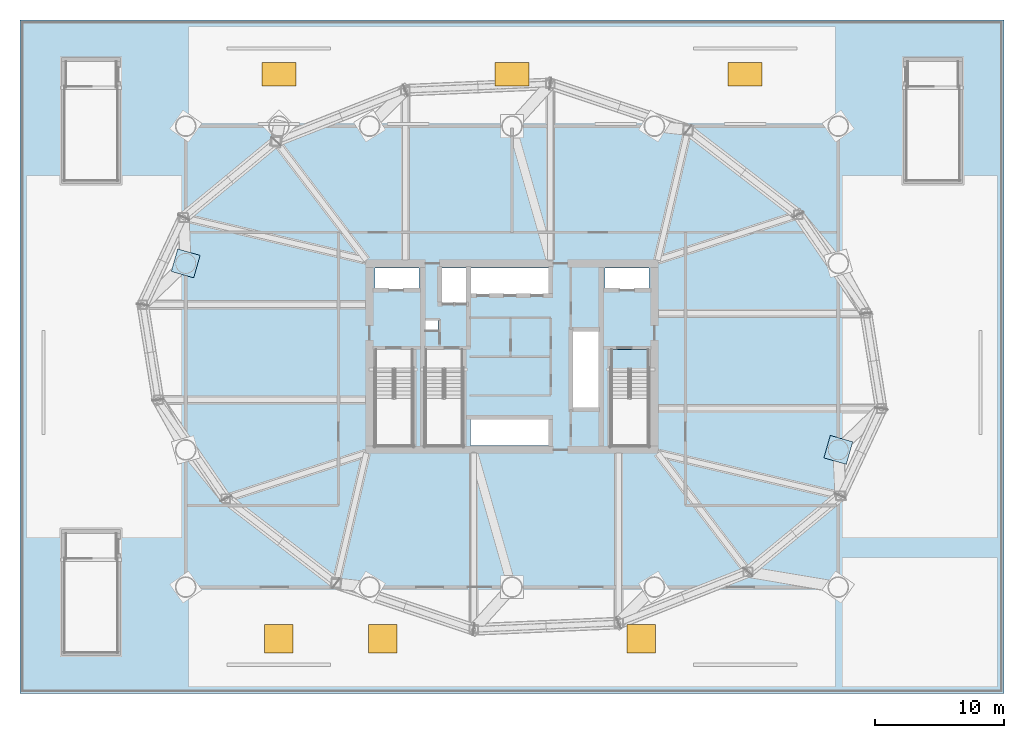
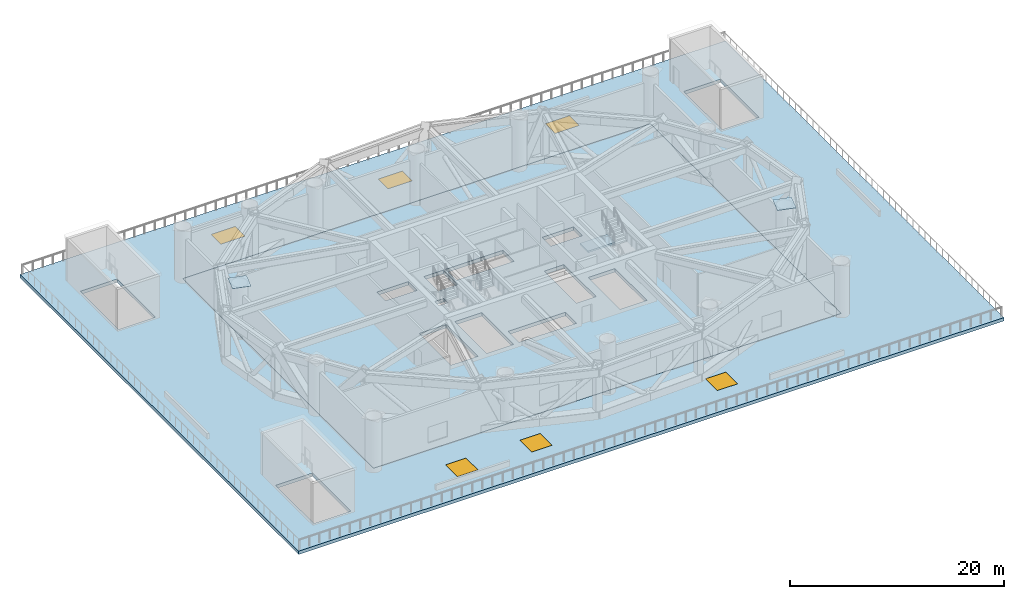
# One storey, part 5 of 14: 6 windows, 3 slabs, 2 plates, 6 openings, 1 element without a shape of its own.
"""IFC4 building model written with IfcOpenShell, lengths in metres."""

import ifcopenshell
import ifcopenshell.guid

model = None  # the IFC model being written
_history = None  # IfcOwnerHistory: only IFC2X3 demands one
_inside = {}  # id of a spatial element -> (the spatial element, [elements in it])
_under = {}  # id of a project, library or spatial element -> (it, [spatial elements below it])
_declared = {}  # id of a project -> (the project, [libraries it declares])
_typed = {}  # id of a type object -> (the type object, [elements of that type])
_made_of = {}  # id of a material, layer set ... -> (it, [elements and type objects made of it])


def new_model(schema):
    """Start an empty IFC model of exactly this schema.

    Asked for "IFC4X3", IfcOpenShell would pick the latest addendum, in which some entities
    have other attributes; the version numbers below select the first issue.
    IFC2X3 requires an IfcOwnerHistory on every rooted entity: one is made here for all.
    """
    global model, _history
    if schema == "IFC4X3":
        model = ifcopenshell.file(schema_version=(4, 3, 0, 0))
    else:
        model = ifcopenshell.file(schema=schema)
    _inside.clear()
    _under.clear()
    _declared.clear()
    _typed.clear()
    _made_of.clear()
    _history = None
    if model.schema == "IFC2X3":
        org = make("IfcOrganization", Name="unknown")
        user = make(
            "IfcPersonAndOrganization",
            ThePerson=make("IfcPerson", FamilyName="unknown"),
            TheOrganization=org,
        )
        app = make(
            "IfcApplication",
            ApplicationDeveloper=org,
            Version="unknown",
            ApplicationFullName="unknown",
            ApplicationIdentifier="unknown",
        )
        _history = make(
            "IfcOwnerHistory",
            OwningUser=user,
            OwningApplication=app,
            ChangeAction="ADDED",
            CreationDate=0,
        )
    return model


def make(cls, **values):
    """One entity of the class cls with the attributes given. An attribute that is None is left unset."""
    return model.create_entity(
        cls, **{name: value for name, value in values.items() if value is not None}
    )


def rooted(cls, **values):
    """An entity with a GlobalId (a new one), such as an element, a storey or a relation."""
    return make(cls, GlobalId=ifcopenshell.guid.new(), OwnerHistory=_history, **values)


def si_unit(unit_type, name, prefix=None):
    """IfcSIUnit, for example si_unit("LENGTHUNIT", "METRE", prefix="MILLI")."""
    return make("IfcSIUnit", UnitType=unit_type, Prefix=prefix, Name=name)


def assignment(units):
    """IfcUnitAssignment: the units of a project."""
    return None if units is None else make("IfcUnitAssignment", Units=units)


def point(xyz):
    """IfcCartesianPoint."""
    return None if xyz is None else make("IfcCartesianPoint", Coordinates=xyz)


def direction(xyz):
    """IfcDirection."""
    return None if xyz is None else make("IfcDirection", DirectionRatios=xyz)


def frame(location, z_axis=None, x_axis=None):
    """IfcAxis2Placement3D, a coordinate frame: its origin and axes. An axis left out is left unset."""
    return make(
        "IfcAxis2Placement3D",
        Location=point(location),
        Axis=direction(z_axis),
        RefDirection=direction(x_axis),
    )


def frame_2d(location, x_axis=None):
    """IfcAxis2Placement2D, a coordinate frame in the plane: its origin and x axis."""
    return make(
        "IfcAxis2Placement2D", Location=point(location), RefDirection=direction(x_axis)
    )


def origin():
    """The frame at (0, 0, 0) with its axes left unset."""
    return frame((0.0, 0.0, 0.0))


def origin_2d():
    """The frame at (0, 0) in the plane with its x axis left unset."""
    return frame_2d((0.0, 0.0))


def place(relative_to, where):
    """IfcLocalPlacement: puts the frame where relative to a parent placement (None: the world)."""
    return make(
        "IfcLocalPlacement", PlacementRelTo=relative_to, RelativePlacement=where
    )


def context(
    kind, dimensions, precision=None, world=None, true_north=None, identifier=None
):
    """IfcGeometricRepresentationContext, for example the 3D "Model" context."""
    return make(
        "IfcGeometricRepresentationContext",
        ContextIdentifier=identifier,
        ContextType=kind,
        CoordinateSpaceDimension=dimensions,
        Precision=precision,
        WorldCoordinateSystem=world,
        TrueNorth=true_north,
    )


def subcontext(parent, identifier, kind, view, scale=None):
    """IfcGeometricRepresentationSubContext, for example "Body" below "Model"."""
    return make(
        "IfcGeometricRepresentationSubContext",
        ContextIdentifier=identifier,
        ContextType=kind,
        ParentContext=parent,
        TargetScale=scale,
        TargetView=view,
    )


def project(units=None, contexts=None):
    """IfcProject with its units and contexts."""
    return rooted(
        "IfcProject",
        Name="project",
        RepresentationContexts=contexts,
        UnitsInContext=assignment(units),
    )


def spatial(cls, under=None, at=None, **own):
    """A site, building, storey or space (cls), placed at a placement, below another one or the project."""
    s = rooted(cls, ObjectPlacement=at, **own)
    if under is not None:
        _under.setdefault(under.id(), (under, []))[1].append(s)
    return s


def polyline(points):
    """IfcPolyline through the points."""
    return make("IfcPolyline", Points=[point(p) for p in points])


def profile(cls, at=None, kind="AREA", **sizes):
    """A parametric profile (cls). Its sizes go by their IFC names, for example OverallWidth=200.0."""
    return make(cls, ProfileType=kind, Position=at, **sizes)


def rectangle(**sizes):
    """IfcRectangleProfileDef."""
    return profile("IfcRectangleProfileDef", **sizes)


def outline(outer, holes=None, kind="AREA"):
    """IfcArbitraryClosedProfileDef: a profile drawn as a closed curve; with holes, ...WithVoids."""
    if holes is None:
        return make("IfcArbitraryClosedProfileDef", ProfileType=kind, OuterCurve=outer)
    return make(
        "IfcArbitraryProfileDefWithVoids",
        ProfileType=kind,
        OuterCurve=outer,
        InnerCurves=holes,
    )


def extrude(swept, where, along, depth):
    """IfcExtrudedAreaSolid: the profile swept, set in the frame where, extruded along a direction by depth."""
    return make(
        "IfcExtrudedAreaSolid",
        SweptArea=swept,
        Position=where,
        ExtrudedDirection=direction(along),
        Depth=depth,
    )


def shape(context_of_items, identifier, shape_type, items):
    """IfcShapeRepresentation: the items that make up one representation, for example the "Body"."""
    return make(
        "IfcShapeRepresentation",
        ContextOfItems=context_of_items,
        RepresentationIdentifier=identifier,
        RepresentationType=shape_type,
        Items=items,
    )


def material(Name=None, Category=None):
    """IfcMaterial."""
    return make("IfcMaterial", Name=Name, Category=Category)


def layer(
    of_material, thickness, ventilated=None, Name=None, Category=None, Priority=None
):
    """IfcMaterialLayer: one layer of a wall or slab, of a material (None: an air gap)."""
    return make(
        "IfcMaterialLayer",
        Material=of_material,
        LayerThickness=thickness,
        IsVentilated=ventilated,
        Name=Name,
        Category=Category,
        Priority=Priority,
    )


def layer_set(layers, Name=None):
    """IfcMaterialLayerSet."""
    return make("IfcMaterialLayerSet", MaterialLayers=layers, LayerSetName=Name)


def made_of(thing, what):
    """Note that an element or type object is made of a material, layer set ...; save() writes the relation."""
    if what is not None:
        _made_of.setdefault(what.id(), (what, []))[1].append(thing)
    return thing


def type_object(cls, material=None, **own):
    """A type object (cls), such as IfcWallType, which elements share."""
    return made_of(rooted(cls, **own), material)


def element(
    cls,
    number,
    at=None,
    inside=None,
    cuts=None,
    type_object=None,
    material=None,
    context=None,
    identifier="Body",
    shape_type=None,
    held_by="IfcProductDefinitionShape",
    body=None,
    shapes=None,
    **own,
):
    """One element of the class cls, such as IfcWall. Its Tag is "e" and its number.

    at: its placement. inside: the storey or other place that contains it. cuts: it is an
    opening in that element (IfcRelVoidsElement). A single representation is given by context,
    identifier, shape_type and body (its items); several are given by shapes. held_by: the class
    of the entity that holds the representations. save() writes the other relations.
    """
    e = rooted(cls, Tag="e%d" % number, ObjectPlacement=at, **own)
    if body is not None:
        shapes = [shape(context, identifier, shape_type, body)]
    if shapes is not None:
        e.Representation = make(held_by, Representations=shapes)
    if inside is not None:
        _inside.setdefault(inside.id(), (inside, []))[1].append(e)
    if cuts is not None:
        rooted(
            "IfcRelVoidsElement", RelatingBuildingElement=cuts, RelatedOpeningElement=e
        )
    if type_object is not None:
        _typed.setdefault(type_object.id(), (type_object, []))[1].append(e)
    return made_of(e, material)


def fill(opening, filler):
    """IfcRelFillsElement: the door or window that sits in an opening."""
    return rooted(
        "IfcRelFillsElement",
        RelatingOpeningElement=opening,
        RelatedBuildingElement=filler,
    )


def aggregate(whole, parts):
    """IfcRelAggregates: a whole, such as a stair, and the parts it consists of."""
    return rooted("IfcRelAggregates", RelatingObject=whole, RelatedObjects=parts)


def save(model, path):
    """Write the relations noted so far, then the file.

    IfcRelAggregates (storeys below a building ...), IfcRelContainedInSpatialStructure (elements
    in a storey), IfcRelDefinesByType, IfcRelAssociatesMaterial and IfcRelDeclares: one each for
    every whole, place, type object, material and project.
    """
    for whole, parts in _under.values():
        aggregate(whole, parts)
    for where, things in _inside.values():
        rooted(
            "IfcRelContainedInSpatialStructure",
            RelatedElements=things,
            RelatingStructure=where,
        )
    for kind, things in _typed.values():
        rooted("IfcRelDefinesByType", RelatedObjects=things, RelatingType=kind)
    for what, things in _made_of.values():
        rooted("IfcRelAssociatesMaterial", RelatedObjects=things, RelatingMaterial=what)
    for by, libraries in _declared.values():
        rooted("IfcRelDeclares", RelatingContext=by, RelatedDefinitions=libraries)
    model.write(path)


model = new_model("IFC4")

# Units and contexts
model_context = context("Model", 3, precision=1e-05, world=origin(), true_north=direction((0.0, 1.0)))
body_context = subcontext(model_context, "Body", "Model", "MODEL_VIEW")
ifc_project = project(units=[si_unit("LENGTHUNIT", "METRE"), si_unit("AREAUNIT", "SQUARE_METRE"), si_unit("VOLUMEUNIT", "CUBIC_METRE"), si_unit("PLANEANGLEUNIT", "RADIAN"), si_unit("MASSUNIT", "GRAM", prefix="KILO")], contexts=[model_context])

# Site, building, storey
site_placement = place(None, origin())
site = spatial("IfcSite", under=ifc_project, at=site_placement, CompositionType="ELEMENT")
building_placement = place(site_placement, origin())
building = spatial("IfcBuilding", under=site, at=building_placement, Name="Bramvorn Convention Spire", CompositionType="ELEMENT")
storey_placement = place(building_placement, frame((0.0, 0.0, 35.39990234375)))
storey = spatial("IfcBuildingStorey", under=building, at=storey_placement, Name="L06", CompositionType="ELEMENT", Elevation=35.39990234375)

# Plates
ifc_material_1 = material(Name="Steel CSA G40.21 Grade 350 (350W)", Category="steel")
ifc_layer_1 = layer(ifc_material_1, 0.044921875)
ifc_layer_set_1 = layer_set([ifc_layer_1], Name="Steel CSA G40.21 Grade 350 (350W) - PLT-NODE-CAP-45")
plate_type = type_object("IfcPlateType", Name="PLT-NODE-CAP-45", PredefinedType="SHEET", material=ifc_layer_set_1)
for number, where, z_axis, x_axis, name in (
    (1, (63.199951171875, 18.800048828125, 6.000244140625), (0.0, 0.0, 1.0), (0.96152394764, -0.274721127899, 0.0), "L06 CFT mega-column PR06 welded end-cap plate"),
    (2, (12.800048828125, 33.199951171875, 6.000244140625), (0.0, 0.0, 1.0), (-0.96152394764, 0.274721127899, 0.0), "L06 CFT mega-column PR07 welded end-cap plate"),
):
    element("IfcPlate", number, at=place(storey_placement, frame(where, z_axis=z_axis, x_axis=x_axis)), inside=storey, type_object=plate_type, Name=name, PredefinedType="SHEET", context=body_context, shape_type="SweptSolid", body=[
        extrude(rectangle(XDim=1.800048828125, YDim=1.800048828125, at=origin_2d()), origin(), (0.0, 0.0, 1.0), 0.044921875),
    ])

# Slab, openings, windows
ifc_material_2 = material(Name="Concrete C40/50 Planted Garden Deck", Category="concrete")
ifc_layer_2 = layer(ifc_material_2, 0.3798828125)
ifc_layer_set_2 = layer_set([ifc_layer_2], Name="Concrete C40/50 Planted Garden Deck - SLB-GARDEN-380")
slab_type_1 = type_object("IfcSlabType", Name="SLB-GARDEN-380", PredefinedType="FLOOR", material=ifc_layer_set_2)
slab_1_placement = place(storey_placement, frame((0.0, 0.0, -0.3798828125)))
slab_1 = element("IfcSlab", 3, at=slab_1_placement, inside=storey, type_object=slab_type_1, Name="L06 Raised Public Roof Garden Deck", PredefinedType="FLOOR", context=body_context, shape_type="SweptSolid", body=[
    extrude(outline(polyline([(0.0, 0.0), (76.0, 0.0), (76.0, 52.0), (0.0, 52.0), (0.0, 0.0)]), holes=[polyline([(12.800048828125, 8.199951171875), (63.199951171875, 8.199951171875), (63.199951171875, 43.800048828125), (12.800048828125, 43.800048828125), (12.800048828125, 8.199951171875)]), polyline([(3.5, 10.35009765625), (3.5, 3.199951171875), (7.47998046875, 3.199951171875), (7.47998046875, 10.35009765625), (3.5, 10.35009765625)]), polyline([(68.52001953125, 46.800048828125), (68.52001953125, 39.64990234375), (72.5, 39.64990234375), (72.5, 46.800048828125), (68.52001953125, 46.800048828125)]), polyline([(3.5, 46.800048828125), (3.5, 39.64990234375), (7.47998046875, 39.64990234375), (7.47998046875, 46.800048828125), (3.5, 46.800048828125)])]), origin(), (0.0, 0.0, 1.0), 0.3798828125),
])
opening_1_placement = place(slab_1_placement, frame((20.0, 4.199951171875, 0.0)))
opening_1 = element("IfcOpeningElement", 4, at=opening_1_placement, cuts=slab_1, Name="Opening SK01", PredefinedType="OPENING", context=body_context, shape_type="SweptSolid", body=[
    extrude(rectangle(XDim=2.199951171875, YDim=2.199951171875, at=origin_2d()), frame((0.0, 0.0, -0.010009765625)), (0.0, 0.0, 1.0), 0.39990234375),
])
opening_2_placement = place(slab_1_placement, frame((28.0, 4.199951171875, 0.0)))
opening_2 = element("IfcOpeningElement", 5, at=opening_2_placement, cuts=slab_1, Name="Opening SK01", PredefinedType="OPENING", context=body_context, shape_type="SweptSolid", body=[
    extrude(rectangle(XDim=2.199951171875, YDim=2.199951171875, at=origin_2d()), frame((0.0, 0.0, -0.010009765625)), (0.0, 0.0, 1.0), 0.39990234375),
])
opening_3_placement = place(slab_1_placement, frame((48.0, 4.199951171875, 0.0)))
opening_3 = element("IfcOpeningElement", 6, at=opening_3_placement, cuts=slab_1, Name="Opening SK01", PredefinedType="OPENING", context=body_context, shape_type="SweptSolid", body=[
    extrude(rectangle(XDim=2.199951171875, YDim=2.199951171875, at=origin_2d()), frame((0.0, 0.0, -0.010009765625)), (0.0, 0.0, 1.0), 0.39990234375),
])
opening_4_placement = place(slab_1_placement, frame((20.0, 47.800048828125, 0.0)))
opening_4 = element("IfcOpeningElement", 7, at=opening_4_placement, cuts=slab_1, Name="Opening SK02", PredefinedType="OPENING", context=body_context, shape_type="SweptSolid", body=[
    extrude(rectangle(XDim=2.60009765625, YDim=1.800048828125, at=origin_2d()), frame((0.0, 0.0, -0.010009765625)), (0.0, 0.0, 1.0), 0.39990234375),
])
opening_5_placement = place(slab_1_placement, frame((38.0, 47.800048828125, 0.0)))
opening_5 = element("IfcOpeningElement", 8, at=opening_5_placement, cuts=slab_1, Name="Opening SK02", PredefinedType="OPENING", context=body_context, shape_type="SweptSolid", body=[
    extrude(rectangle(XDim=2.60009765625, YDim=1.800048828125, at=origin_2d()), frame((0.0, 0.0, -0.010009765625)), (0.0, 0.0, 1.0), 0.39990234375),
])
opening_6_placement = place(slab_1_placement, frame((56.0, 47.800048828125, 0.0)))
opening_6 = element("IfcOpeningElement", 9, at=opening_6_placement, cuts=slab_1, Name="Opening SK02", PredefinedType="OPENING", context=body_context, shape_type="SweptSolid", body=[
    extrude(rectangle(XDim=2.60009765625, YDim=1.800048828125, at=origin_2d()), frame((0.0, 0.0, -0.010009765625)), (0.0, 0.0, 1.0), 0.39990234375),
])
ifc_material_3 = material(Name="Thermally Broken Bronze Aluminium & Triple Low-E Glass", Category="aluminium")
window_type_1 = type_object("IfcWindowType", Name="SKY-POD-2200X2200", PartitioningType="SINGLE_PANEL", PredefinedType="SKYLIGHT", material=ifc_material_3)
window_1_placement = place(opening_1_placement, frame((0.0, 0.0, 0.329833984375)))
window_1 = element("IfcWindow", 10, at=window_1_placement, inside=storey, type_object=window_type_1, Name="L06 convention concourse daylight skylight 1", OverallHeight=2.199951171875, OverallWidth=2.199951171875, PartitioningType="SINGLE_PANEL", PredefinedType="SKYLIGHT", context=body_context, shape_type="SweptSolid", body=[
    extrude(rectangle(XDim=2.199951171875, YDim=2.199951171875, at=origin_2d()), origin(), (0.0, 0.0, 1.0), 0.050048828125),
])
fill(opening_1, window_1)
window_2_placement = place(opening_2_placement, frame((0.0, 0.0, 0.329833984375)))
window_2 = element("IfcWindow", 11, at=window_2_placement, inside=storey, type_object=window_type_1, Name="L06 convention concourse daylight skylight 2", OverallHeight=2.199951171875, OverallWidth=2.199951171875, PartitioningType="SINGLE_PANEL", PredefinedType="SKYLIGHT", context=body_context, shape_type="SweptSolid", body=[
    extrude(rectangle(XDim=2.199951171875, YDim=2.199951171875, at=origin_2d()), origin(), (0.0, 0.0, 1.0), 0.050048828125),
])
fill(opening_2, window_2)
window_3_placement = place(opening_3_placement, frame((0.0, 0.0, 0.329833984375)))
window_3 = element("IfcWindow", 12, at=window_3_placement, inside=storey, type_object=window_type_1, Name="L06 convention concourse daylight skylight 3", OverallHeight=2.199951171875, OverallWidth=2.199951171875, PartitioningType="SINGLE_PANEL", PredefinedType="SKYLIGHT", context=body_context, shape_type="SweptSolid", body=[
    extrude(rectangle(XDim=2.199951171875, YDim=2.199951171875, at=origin_2d()), origin(), (0.0, 0.0, 1.0), 0.050048828125),
])
fill(opening_3, window_3)
window_type_2 = type_object("IfcWindowType", Name="SKY-POD-2600X1800", PartitioningType="SINGLE_PANEL", PredefinedType="SKYLIGHT", material=ifc_material_3)
window_4_placement = place(opening_4_placement, frame((0.0, 0.0, 0.329833984375)))
window_4 = element("IfcWindow", 13, at=window_4_placement, inside=storey, type_object=window_type_2, Name="L06 convention concourse daylight skylight 4", OverallHeight=1.800048828125, OverallWidth=2.60009765625, PartitioningType="SINGLE_PANEL", PredefinedType="SKYLIGHT", context=body_context, shape_type="SweptSolid", body=[
    extrude(rectangle(XDim=2.60009765625, YDim=1.800048828125, at=origin_2d()), origin(), (0.0, 0.0, 1.0), 0.050048828125),
])
fill(opening_4, window_4)
window_5_placement = place(opening_5_placement, frame((0.0, 0.0, 0.329833984375)))
window_5 = element("IfcWindow", 14, at=window_5_placement, inside=storey, type_object=window_type_2, Name="L06 convention concourse daylight skylight 5", OverallHeight=1.800048828125, OverallWidth=2.60009765625, PartitioningType="SINGLE_PANEL", PredefinedType="SKYLIGHT", context=body_context, shape_type="SweptSolid", body=[
    extrude(rectangle(XDim=2.60009765625, YDim=1.800048828125, at=origin_2d()), origin(), (0.0, 0.0, 1.0), 0.050048828125),
])
fill(opening_5, window_5)
window_6_placement = place(opening_6_placement, frame((0.0, 0.0, 0.329833984375)))
window_6 = element("IfcWindow", 15, at=window_6_placement, inside=storey, type_object=window_type_2, Name="L06 convention concourse daylight skylight 6", OverallHeight=1.800048828125, OverallWidth=2.60009765625, PartitioningType="SINGLE_PANEL", PredefinedType="SKYLIGHT", context=body_context, shape_type="SweptSolid", body=[
    extrude(rectangle(XDim=2.60009765625, YDim=1.800048828125, at=origin_2d()), origin(), (0.0, 0.0, 1.0), 0.050048828125),
])
fill(opening_6, window_6)

# Stair, slab
ifc_material_4 = material(Name="Concrete C40/50 Precast Stair", Category="concrete")
stair_type = type_object("IfcStairType", Name="ST-TOWER-1550", PredefinedType="HALF_TURN_STAIR", material=ifc_material_4)
stair_placement = place(storey_placement, origin())
stair = element("IfcStair", 16, at=stair_placement, inside=storey, type_object=stair_type, Name="L06 Protected Exit Stair ST2", PredefinedType="HALF_TURN_STAIR")
ifc_material_5 = material(Name="Concrete C40/50 Stair Landing", Category="concrete")
ifc_layer_3 = layer(ifc_material_5, 0.219970703125)
ifc_layer_set_3 = layer_set([ifc_layer_3], Name="Concrete C40/50 Stair Landing - SLB-STAIR-LANDING")
slab_type_2 = type_object("IfcSlabType", Name="SLB-STAIR-LANDING", PredefinedType="LANDING", material=ifc_layer_set_3)
slab_2_placement = place(storey_placement, frame((0.0, 0.0, 2.800048828125)))
slab_2 = element("IfcSlab", 17, at=slab_2_placement, type_object=slab_type_2, Name="ST2 landing 2", PredefinedType="LANDING", context=body_context, shape_type="SweptSolid", body=[
    extrude(outline(polyline([(45.64990234375, 26.550048828125), (45.64990234375, 25.050048828125), (48.550048828125, 25.050048828125), (48.550048828125, 26.550048828125), (45.64990234375, 26.550048828125)])), origin(), (0.0, 0.0, 1.0), 0.199951171875),
])
aggregate(stair, [slab_2])

# Slab
ifc_material_6 = material(Name="Concrete C60/70", Category="concrete")
ifc_layer_4 = layer(ifc_material_6, 0.39990234375)
ifc_layer_set_4 = layer_set([ifc_layer_4], Name="Concrete C60/70 - SLB-TRF-400")
slab_type_3 = type_object("IfcSlabType", Name="SLB-TRF-400", PredefinedType="FLOOR", material=ifc_layer_set_4)
slab_3_placement = place(storey_placement, frame((0.0, 0.0, -0.39990234375)))
element("IfcSlab", 18, at=slab_3_placement, inside=storey, type_object=slab_type_3, Name="L06 transfer level structural slab", PredefinedType="FLOOR", context=body_context, shape_type="SweptSolid", body=[
    extrude(outline(polyline([(12.800048828125, 8.199951171875), (63.199951171875, 8.199951171875), (63.199951171875, 43.800048828125), (12.800048828125, 43.800048828125), (12.800048828125, 8.199951171875)]), holes=[polyline([(27.449951171875, 25.050048828125), (27.449951171875, 19.10009765625), (30.35009765625, 19.10009765625), (30.35009765625, 25.050048828125), (27.449951171875, 25.050048828125)]), polyline([(45.64990234375, 25.050048828125), (45.64990234375, 19.10009765625), (48.550048828125, 19.10009765625), (48.550048828125, 25.050048828125), (45.64990234375, 25.050048828125)]), polyline([(31.300048828125, 25.050048828125), (31.300048828125, 19.10009765625), (34.199951171875, 19.10009765625), (34.199951171875, 25.050048828125), (31.300048828125, 25.050048828125)]), polyline([(27.39990234375, 31.219970703125), (30.800048828125, 31.219970703125), (30.800048828125, 32.85009765625), (27.39990234375, 32.85009765625), (27.39990234375, 31.219970703125)]), polyline([(45.199951171875, 31.219970703125), (48.60009765625, 31.219970703125), (48.60009765625, 32.85009765625), (45.199951171875, 32.85009765625), (45.199951171875, 31.219970703125)]), polyline([(32.449951171875, 30.14990234375), (34.56005859375, 30.14990234375), (34.56005859375, 32.85009765625), (32.449951171875, 32.85009765625), (32.449951171875, 30.14990234375)]), polyline([(34.800048828125, 30.800048828125), (40.97998046875, 30.800048828125), (40.97998046875, 32.85009765625), (34.800048828125, 32.85009765625), (34.800048828125, 30.800048828125)]), polyline([(34.800048828125, 19.14990234375), (40.97998046875, 19.14990234375), (40.97998046875, 21.199951171875), (34.800048828125, 21.199951171875), (34.800048828125, 19.14990234375)]), polyline([(42.6201171875, 22.0), (44.75, 22.0), (44.75, 28.0), (42.6201171875, 28.0), (42.6201171875, 22.0)]), polyline([(31.320068359375, 28.02001953125), (32.280029296875, 28.02001953125), (32.280029296875, 28.820068359375), (31.320068359375, 28.820068359375), (31.320068359375, 28.02001953125)])]), origin(), (0.0, 0.0, 1.0), 0.39990234375),
])

save(model, "model.ifc")
